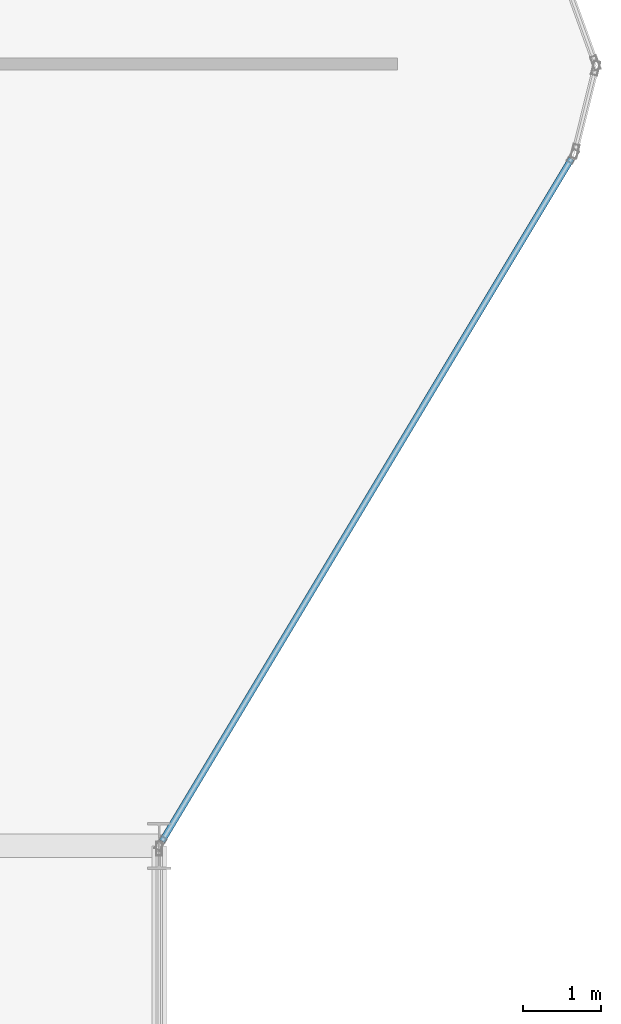
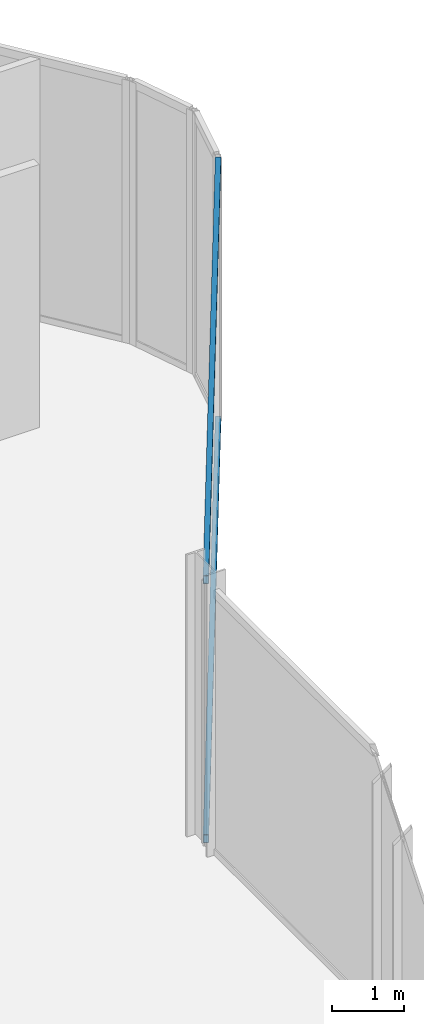
# One storey, part 13 of 29: 2 members, 1 element without a shape of its own.
"""IFC4 building model written with IfcOpenShell, lengths in metres."""

from ifc_helpers import new_model, si_unit, direction, frame, origin, origin_2d, place, context, subcontext, project, spatial, hollow_rectangle, extrude, material, layer, layer_set, material_profile, profile_set, type_object, element, aggregate, save


model = new_model("IFC4")

# Units and contexts
model_context = context("Model", 3, precision=1e-05, world=origin(), true_north=direction((0.0, 1.0)))
body_context = subcontext(model_context, "Body", "Model", "MODEL_VIEW")
ifc_project = project(units=[si_unit("LENGTHUNIT", "METRE"), si_unit("AREAUNIT", "SQUARE_METRE"), si_unit("VOLUMEUNIT", "CUBIC_METRE"), si_unit("PLANEANGLEUNIT", "RADIAN"), si_unit("MASSUNIT", "GRAM", prefix="KILO")], contexts=[model_context])

# Site, building, storey
site_placement = place(None, origin())
site = spatial("IfcSite", under=ifc_project, at=site_placement, CompositionType="ELEMENT")
building_placement = place(site_placement, origin())
building = spatial("IfcBuilding", under=site, at=building_placement, Name="Keshet Zoharim Tower", CompositionType="ELEMENT")
storey_placement = place(building_placement, frame((0.0, 0.0, 120.5)))
storey = spatial("IfcBuildingStorey", under=building, at=storey_placement, Name="L29", CompositionType="ELEMENT", Elevation=120.5)

# Curtain wall, members
ifc_material = material(Name="Aluminium 6063-T6", Category="aluminium")
ifc_layer = layer(ifc_material, 0.14990234375)
ifc_layer_set = layer_set([ifc_layer], Name="Aluminium 6063-T6")
curtain_wall_type = type_object("IfcCurtainWallType", Name="CW-SYS-04", PredefinedType="NOTDEFINED", material=ifc_layer_set)
curtain_wall_placement = place(storey_placement, origin())
curtain_wall = element("IfcCurtainWall", 1, at=curtain_wall_placement, inside=storey, type_object=curtain_wall_type, Name="L29 Unitised Curtain Wall 18", PredefinedType="NOTDEFINED")
ifc_material_profile = material_profile(ifc_material, hollow_rectangle(XDim=0.080078125, YDim=0.139892578125, WallThickness=0.00390625, at=origin_2d()), Name="TRN-80x140")
ifc_profile_set = profile_set([ifc_material_profile], Name="Aluminium 6063-T6")
member_type = type_object("IfcMemberType", Name="CWT-T14", PredefinedType="USERDEFINED", material=ifc_profile_set)
member_1_placement = place(storey_placement, frame((62.27197265625, 36.68701171875, 0.034912109375), z_axis=(-0.514467532827, -0.857509858641, 0.0), x_axis=(0.857509858641, -0.514467532827, 0.0)))
member_1 = element("IfcMember", 2, at=member_1_placement, type_object=member_type, Name="CW-04 transom 1.1", ObjectType="TRANSOM", PredefinedType="USERDEFINED", context=body_context, shape_type="SweptSolid", body=[
    extrude(hollow_rectangle(XDim=0.080078125, YDim=0.139892578125, WallThickness=0.00390625, at=origin_2d()), origin(), (0.0, 0.0, 1.0), 10.17724609375),
])
member_2_placement = place(storey_placement, frame((62.27197265625, 36.68701171875, 4.445068359375), z_axis=(-0.514467532827, -0.857509858641, 0.0), x_axis=(0.857509858641, -0.514467532827, 0.0)))
member_2 = element("IfcMember", 3, at=member_2_placement, type_object=member_type, Name="CW-04 transom 1.2", ObjectType="TRANSOM", PredefinedType="USERDEFINED", context=body_context, shape_type="SweptSolid", body=[
    extrude(hollow_rectangle(XDim=0.080078125, YDim=0.139892578125, WallThickness=0.00390625, at=origin_2d()), origin(), (0.0, 0.0, 1.0), 10.17724609375),
])
aggregate(curtain_wall, [member_1, member_2])

save(model, "model.ifc")
